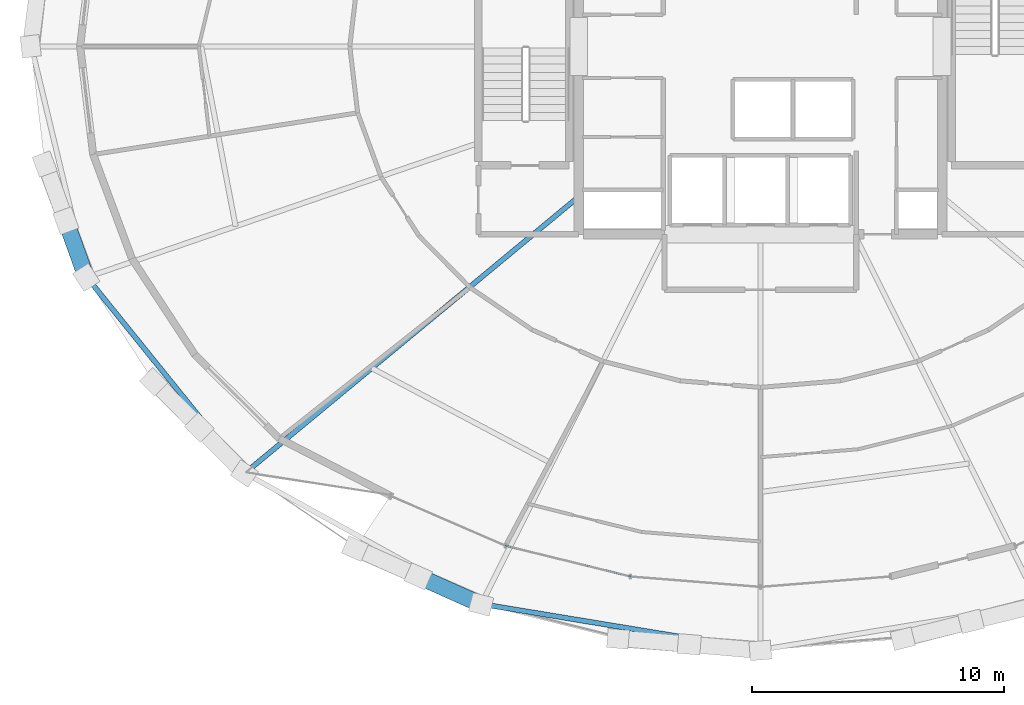
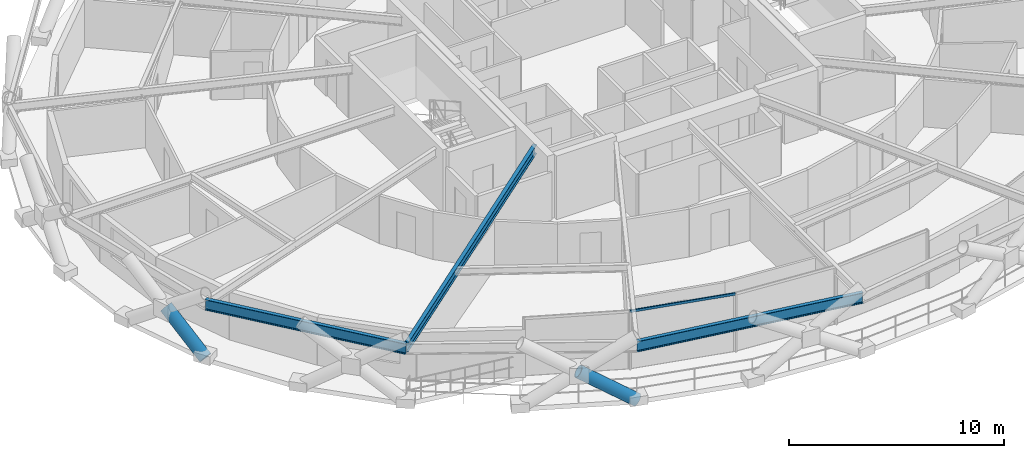
# One storey, part 2 of 21: 3 beams, 3 members, 1 element without a shape of its own.
"""IFC4 building model written with IfcOpenShell, lengths in metres."""

from ifc_helpers import new_model, si_unit, direction, frame, origin, origin_2d, place, context, subcontext, project, spatial, hollow_rectangle, hollow_circle, i_section, extrude, material, layer, layer_set, material_profile, profile_set, type_object, element, aggregate, save


model = new_model("IFC4")

# Units and contexts
model_context = context("Model", 3, precision=1e-05, world=origin(), true_north=direction((0.0, 1.0)))
body_context = subcontext(model_context, "Body", "Model", "MODEL_VIEW")
ifc_project = project(units=[si_unit("LENGTHUNIT", "METRE"), si_unit("AREAUNIT", "SQUARE_METRE"), si_unit("VOLUMEUNIT", "CUBIC_METRE"), si_unit("PLANEANGLEUNIT", "RADIAN"), si_unit("MASSUNIT", "GRAM", prefix="KILO")], contexts=[model_context])

# Site, building, storey
site_placement = place(None, origin())
site = spatial("IfcSite", under=ifc_project, at=site_placement, CompositionType="ELEMENT")
building_placement = place(site_placement, origin())
building = spatial("IfcBuilding", under=site, at=building_placement, Name="Veldorina Hangang Commons", CompositionType="ELEMENT")
storey_placement = place(building_placement, frame((0.0, 0.0, 91.60009765625)))
storey = spatial("IfcBuildingStorey", under=building, at=storey_placement, Name="L23", CompositionType="ELEMENT", Elevation=91.60009765625)

# Beams
ifc_material_1 = material(Name="Steel SM420-TMC", Category="steel")
ifc_material_profile_1 = material_profile(ifc_material_1, i_section(OverallWidth=0.199951171875, OverallDepth=0.5, WebThickness=0.010009765625, FlangeThickness=0.01611328125, FilletRadius=0.01611328125, at=origin_2d()), Name="H-500x200x10x16")
ifc_profile_set_1 = profile_set([ifc_material_profile_1], Name="Steel SM420-TMC")
beam_type_1 = type_object("IfcBeamType", Name="BM-FG500", PredefinedType="BEAM", material=ifc_profile_set_1)
beam_1_placement = place(storey_placement, frame((24.800048828125, 18.0380859375, 3.08984375), z_axis=(-0.77021881672, -0.637779722451, 0.0), x_axis=(0.637779722451, -0.77021881672, 0.0)))
element("IfcBeam", 1, at=beam_1_placement, inside=storey, type_object=beam_type_1, Name="L23 radial floor girder 11", PredefinedType="BEAM", context=body_context, shape_type="SweptSolid", body=[
    extrude(i_section(OverallWidth=0.199951171875, OverallDepth=0.5, WebThickness=0.010009765625, FlangeThickness=0.01611328125, FilletRadius=0.01611328125, at=origin_2d()), origin(), (0.0, 0.0, 1.0), 17.1787109375),
])
ifc_material_profile_2 = material_profile(ifc_material_1, i_section(OverallWidth=0.199951171875, OverallDepth=0.60009765625, WebThickness=0.010986328125, FlangeThickness=0.01708984375, FilletRadius=0.01806640625, at=origin_2d()), Name="H-600x200x11x17")
ifc_profile_set_2 = profile_set([ifc_material_profile_2], Name="Steel SM420-TMC")
beam_type_2 = type_object("IfcBeamType", Name="BM-RB600", PredefinedType="BEAM", material=ifc_profile_set_2)
beam_2_placement = place(storey_placement, frame((5.305419921875, 14.843994140625, 3.039794921875), z_axis=(0.62795529061, -0.778249415673, 0.0), x_axis=(0.778249415673, 0.62795529061, 0.0)))
element("IfcBeam", 2, at=beam_2_placement, inside=storey, type_object=beam_type_2, Name="L23 perimeter hoop ring beam 18", PredefinedType="BEAM", context=body_context, shape_type="SweptSolid", body=[
    extrude(i_section(OverallWidth=0.199951171875, OverallDepth=0.60009765625, WebThickness=0.010986328125, FlangeThickness=0.01708984375, FilletRadius=0.01806640625, at=origin_2d()), origin(), (0.0, 0.0, 1.0), 9.973876953125),
])
beam_3_placement = place(storey_placement, frame((20.942626953125, 1.895263671875, 3.039794921875), z_axis=(0.986708290372, -0.162501537566, 0.0), x_axis=(0.162501537566, 0.986708290372, 0.0)))
element("IfcBeam", 3, at=beam_3_placement, inside=storey, type_object=beam_type_2, Name="L23 perimeter hoop ring beam 22", PredefinedType="BEAM", context=body_context, shape_type="SweptSolid", body=[
    extrude(i_section(OverallWidth=0.199951171875, OverallDepth=0.60009765625, WebThickness=0.010986328125, FlangeThickness=0.01708984375, FilletRadius=0.01806640625, at=origin_2d()), origin(), (0.0, 0.0, 1.0), 11.206298828125),
])

# Curtain wall, member
ifc_material_2 = material(Name="Glass Low-E Triple IGU", Category="glass")
ifc_layer = layer(ifc_material_2, 0.179931640625)
ifc_layer_set = layer_set([ifc_layer], Name="Glass Low-E Triple IGU")
curtain_wall_type = type_object("IfcCurtainWallType", Name="CW-SYS-Z1", PredefinedType="NOTDEFINED", material=ifc_layer_set)
curtain_wall_placement = place(storey_placement, origin())
curtain_wall = element("IfcCurtainWall", 4, at=curtain_wall_placement, inside=storey, type_object=curtain_wall_type, Name="L23 unitised curtain wall CW-L23-R1", PredefinedType="NOTDEFINED")
ifc_material_3 = material(Name="Aluminium Anodized AA6063-T6", Category="aluminium")
ifc_material_profile_3 = material_profile(ifc_material_3, hollow_rectangle(XDim=0.06005859375, YDim=0.139892578125, WallThickness=0.00341796875, at=origin_2d()), Name="ALU-RHS-140x60x3.5")
ifc_profile_set_3 = profile_set([ifc_material_profile_3], Name="Aluminium Anodized AA6063-T6")
member_type_1 = type_object("IfcMemberType", Name="CW-TRN-140", PredefinedType="USERDEFINED", material=ifc_profile_set_3)
member_1_placement = place(storey_placement, frame((21.896484375, 4.205810546875, 3.260009765625), z_axis=(0.971022910957, -0.23898641467, 0.0), x_axis=(0.23898641467, 0.971022910957, 0.0)))
member_1 = element("IfcMember", 5, at=member_1_placement, type_object=member_type_1, Name="CW-L23-R1 facet 2 transom 1", ObjectType="TRANSOM", PredefinedType="USERDEFINED", context=body_context, shape_type="SweptSolid", body=[
    extrude(hollow_rectangle(XDim=0.06005859375, YDim=0.139892578125, WallThickness=0.00341796875, at=origin_2d()), origin(), (0.0, 0.0, 1.0), 5.1005859375),
])
aggregate(curtain_wall, [member_1])

# Members
ifc_material_4 = material(Name="Steel SM460-TMC", Category="steel")
ifc_material_profile_4 = material_profile(ifc_material_4, hollow_circle(Radius=0.324951171875, WallThickness=0.031982421875, at=origin_2d()), Name="CHS-650x32")
ifc_profile_set_4 = profile_set([ifc_material_profile_4], Name="Steel SM460-TMC")
member_type_2 = type_object("IfcMemberType", Name="DG-CHS650", PredefinedType="BRACE", material=ifc_profile_set_4)
member_2_placement = place(storey_placement, frame((5.280029296875, 14.836669921875, 0.0), z_axis=(-0.269892380141, 0.751668228004, 0.601791473977), x_axis=(-0.941169679362, -0.337934364412, 0.0)))
element("IfcMember", 6, at=member_2_placement, inside=storey, type_object=member_type_2, Name="L23 split perimeter diagrid lower brace 18", PredefinedType="BRACE", context=body_context, shape_type="SweptSolid", body=[
    extrude(hollow_circle(Radius=0.324951171875, WallThickness=0.031982421875, at=origin_2d()), origin(), (0.0, 0.0, 1.0), 2.992431640625),
])
member_3_placement = place(storey_placement, frame((20.93212890625, 1.877685546875, 0.0), z_axis=(-0.761924568617, 0.34122040628, 0.550490314244), x_axis=(-0.408724752862, -0.912657699468, 0.0)))
element("IfcMember", 7, at=member_3_placement, inside=storey, type_object=member_type_2, Name="L23 split perimeter diagrid lower brace 22", PredefinedType="BRACE", context=body_context, shape_type="SweptSolid", body=[
    extrude(hollow_circle(Radius=0.324951171875, WallThickness=0.031982421875, at=origin_2d()), origin(), (0.0, 0.0, 1.0), 3.271240234375),
])

save(model, "model.ifc")
